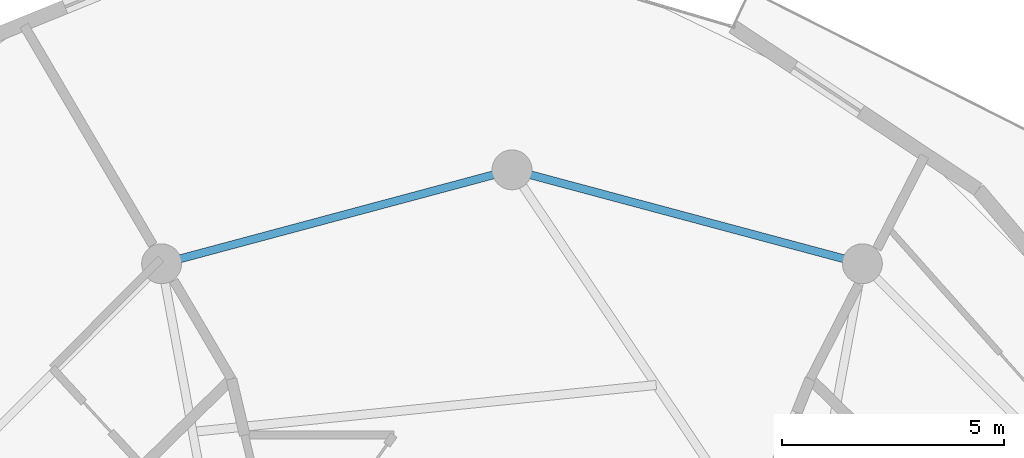
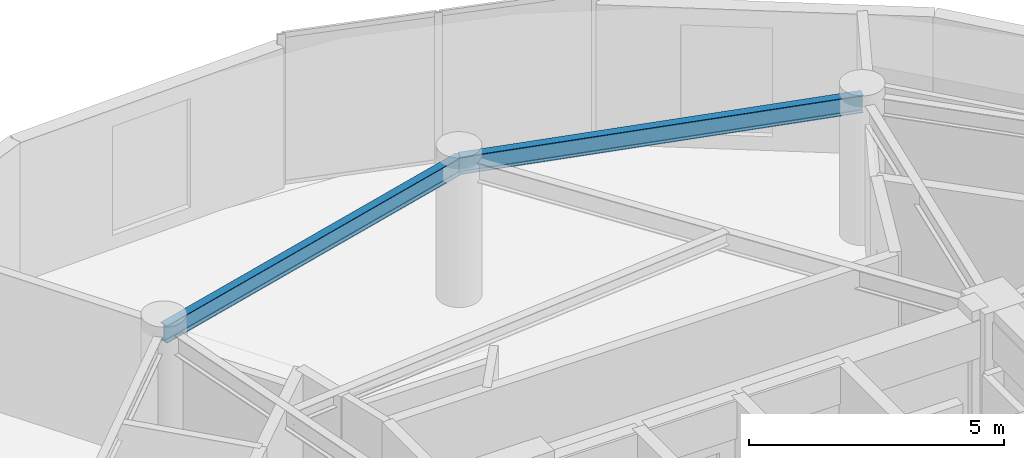
# One storey, part 16 of 24: 2 beams.
"""IFC4 building model written with IfcOpenShell, lengths in metres."""

from ifc_helpers import new_model, si_unit, direction, frame, origin, origin_2d, place, context, subcontext, project, spatial, i_section, extrude, material, material_profile, profile_set, type_object, element, save


model = new_model("IFC4")

# Units and contexts
model_context = context("Model", 3, precision=1e-05, world=origin(), true_north=direction((0.0, 1.0)))
body_context = subcontext(model_context, "Body", "Model", "MODEL_VIEW")
ifc_project = project(units=[si_unit("LENGTHUNIT", "METRE"), si_unit("AREAUNIT", "SQUARE_METRE"), si_unit("VOLUMEUNIT", "CUBIC_METRE"), si_unit("PLANEANGLEUNIT", "RADIAN"), si_unit("MASSUNIT", "GRAM", prefix="KILO")], contexts=[model_context])

# Site, building, storey
site_placement = place(None, origin())
site = spatial("IfcSite", under=ifc_project, at=site_placement, CompositionType="ELEMENT")
building_placement = place(site_placement, origin())
building = spatial("IfcBuilding", under=site, at=building_placement, Name="Solvirekh Grand Hotel", CompositionType="ELEMENT")
storey_placement = place(building_placement, frame((0.0, 0.0, 184.0)))
storey = spatial("IfcBuildingStorey", under=building, at=storey_placement, Name="L47", CompositionType="ELEMENT", Elevation=184.0)

# Beams
ifc_material = material(Name="Steel S355", Category="steel")
ifc_material_profile = material_profile(ifc_material, i_section(OverallWidth=0.180908203125, OverallDepth=0.4169921875, WebThickness=0.010009765625, FlangeThickness=0.01611328125, FilletRadius=0.011962890625, at=origin_2d()), Name="W410X85")
ifc_profile_set = profile_set([ifc_material_profile], Name="Steel S355")
beam_type = type_object("IfcBeamType", Name="Spandrel_Ring_W410", PredefinedType="SPANDREL", material=ifc_profile_set)
for number, where, z_axis, x_axis, name in (
    (1, (7.89990234375, 13.68310546875, 3.152099609375), (-0.965920601923, 0.258838541915, 0.0), (-0.258838541915, -0.965920601923, 0.0), "L47 perimeter spandrel beam 3"),
    (2, (0.0, 15.800048828125, 3.152099609375), (-0.965920601923, -0.258838541915, 0.0), (0.258838541915, -0.965920601923, 0.0), "L47 perimeter spandrel beam 4"),
):
    element("IfcBeam", number, at=place(storey_placement, frame(where, z_axis=z_axis, x_axis=x_axis)), inside=storey, type_object=beam_type, Name=name, PredefinedType="SPANDREL", context=body_context, shape_type="SweptSolid", body=[
        extrude(i_section(OverallWidth=0.180908203125, OverallDepth=0.4169921875, WebThickness=0.010009765625, FlangeThickness=0.01611328125, FilletRadius=0.011962890625, at=origin_2d()), origin(), (0.0, 0.0, 1.0), 8.1787109375),
    ])

save(model, "model.ifc")
